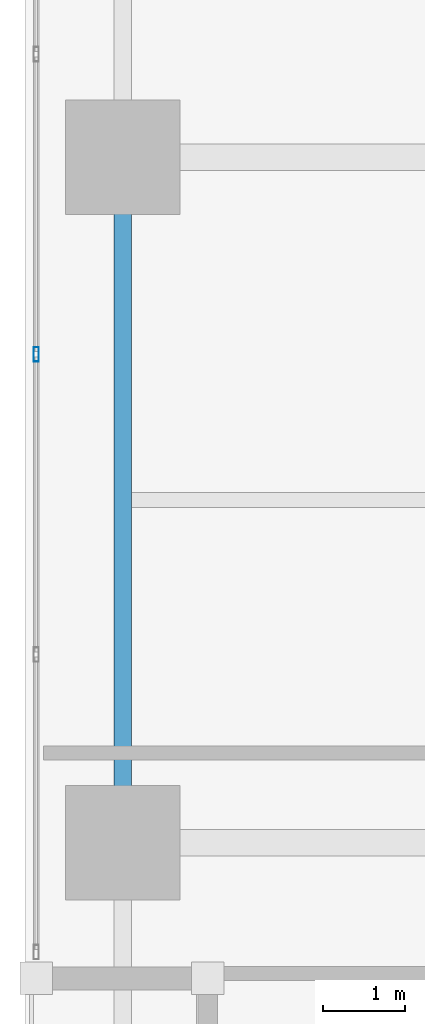
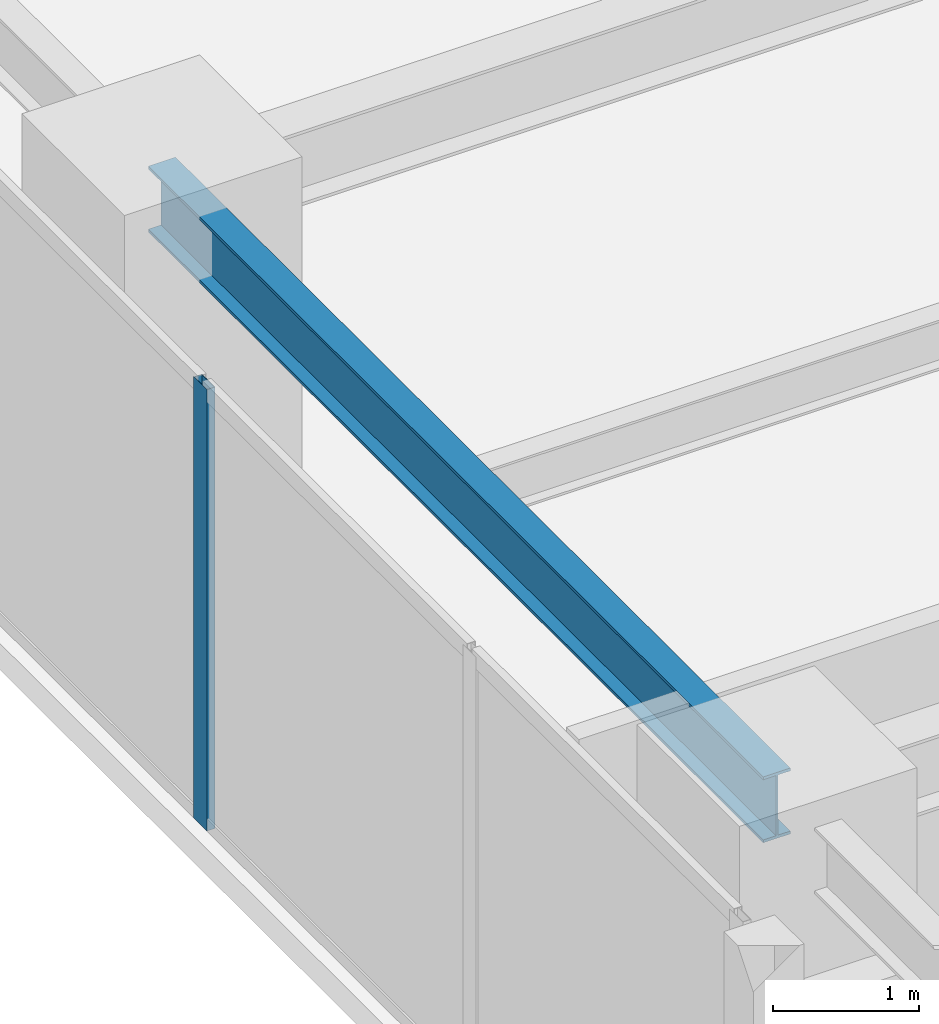
# One storey, part 5 of 31: 1 beam, 1 member, 1 element without a shape of its own.
"""IFC4 building model written with IfcOpenShell, lengths in metres."""

from ifc_helpers import new_model, si_unit, direction, frame, origin, origin_2d, place, context, subcontext, project, spatial, hollow_rectangle, i_section, extrude, material, layer, layer_set, material_profile, profile_set, type_object, element, aggregate, save


model = new_model("IFC4")

# Units and contexts
model_context = context("Model", 3, precision=1e-05, world=origin(), true_north=direction((0.0, 1.0)))
body_context = subcontext(model_context, "Body", "Model", "MODEL_VIEW")
ifc_project = project(units=[si_unit("LENGTHUNIT", "METRE"), si_unit("AREAUNIT", "SQUARE_METRE"), si_unit("VOLUMEUNIT", "CUBIC_METRE"), si_unit("PLANEANGLEUNIT", "RADIAN"), si_unit("MASSUNIT", "GRAM", prefix="KILO")], contexts=[model_context])

# Site, building, storey
site_placement = place(None, origin())
site = spatial("IfcSite", under=ifc_project, at=site_placement, CompositionType="ELEMENT")
building_placement = place(site_placement, origin())
building = spatial("IfcBuilding", under=site, at=building_placement, Name="Kiyonajd Concourse Tower", CompositionType="ELEMENT")
storey_placement = place(building_placement, frame((0.0, 0.0, 158.39990234375)))
storey = spatial("IfcBuildingStorey", under=building, at=storey_placement, Name="L40", CompositionType="ELEMENT", Elevation=158.39990234375)

# Beam
ifc_material_1 = material(Name="Steel ASTM A992 Grade 50", Category="steel")
ifc_material_profile_1 = material_profile(ifc_material_1, i_section(OverallWidth=0.214111328125, OverallDepth=0.549072265625, WebThickness=0.0146484375, FlangeThickness=0.023681640625, at=origin_2d()), Name="W530X138")
ifc_profile_set_1 = profile_set([ifc_material_profile_1], Name="Steel ASTM A992 Grade 50")
beam_type = type_object("IfcBeamType", Name="BM-SPAN-530A", PredefinedType="SPANDREL", material=ifc_profile_set_1)
beam_placement = place(storey_placement, frame((19.199951171875, 44.39990234375, 3.405517578125), z_axis=(0.0, -1.0, 0.0), x_axis=(1.0, 0.0, 0.0)))
element("IfcBeam", 1, at=beam_placement, inside=storey, type_object=beam_type, Name="L40 Perimeter Bundled Tube Spandrel", PredefinedType="SPANDREL", context=body_context, shape_type="SweptSolid", body=[
    extrude(i_section(OverallWidth=0.214111328125, OverallDepth=0.549072265625, WebThickness=0.0146484375, FlangeThickness=0.023681640625, at=origin_2d()), origin(), (0.0, 0.0, 1.0), 8.39990234375),
])

# Curtain wall, member
ifc_material_2 = material(Name="Thermally Broken Anodised Aluminium", Category="aluminium")
ifc_layer = layer(ifc_material_2, 0.179931640625)
ifc_layer_set = layer_set([ifc_layer], Name="Thermally Broken Anodised Aluminium")
curtain_wall_type = type_object("IfcCurtainWallType", Name="CW-SYS-03", PredefinedType="NOTDEFINED", material=ifc_layer_set)
curtain_wall_placement = place(storey_placement, origin())
curtain_wall = element("IfcCurtainWall", 2, at=curtain_wall_placement, inside=storey, type_object=curtain_wall_type, Name="L40 Unitised Curtain Wall CW3", PredefinedType="NOTDEFINED")
ifc_material_profile_2 = material_profile(ifc_material_2, hollow_rectangle(XDim=0.06494140625, YDim=0.179931640625, WallThickness=0.00390625, at=origin_2d()), Name="MULL-65x180")
ifc_profile_set_2 = profile_set([ifc_material_profile_2], Name="Thermally Broken Anodised Aluminium")
member_type = type_object("IfcMemberType", Name="MB-CW-MULL1", PredefinedType="MULLION", material=ifc_profile_set_2)
member_placement = place(storey_placement, frame((18.139892578125, 41.98388671875, 0.0), z_axis=(0.0, 0.0, 1.0), x_axis=(-1.0, 0.0, 0.0)))
member = element("IfcMember", 3, at=member_placement, type_object=member_type, Name="CW3 mullion 3", PredefinedType="MULLION", context=body_context, shape_type="SweptSolid", body=[
    extrude(hollow_rectangle(XDim=0.06494140625, YDim=0.179931640625, WallThickness=0.00390625, at=origin_2d()), origin(), (0.0, 0.0, 1.0), 3.68017578125),
])
aggregate(curtain_wall, [member])

save(model, "model.ifc")
